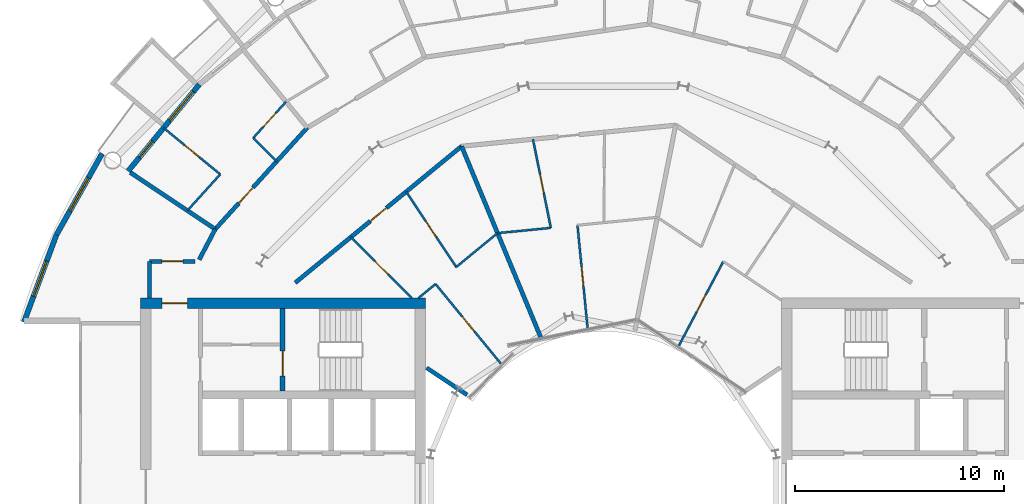
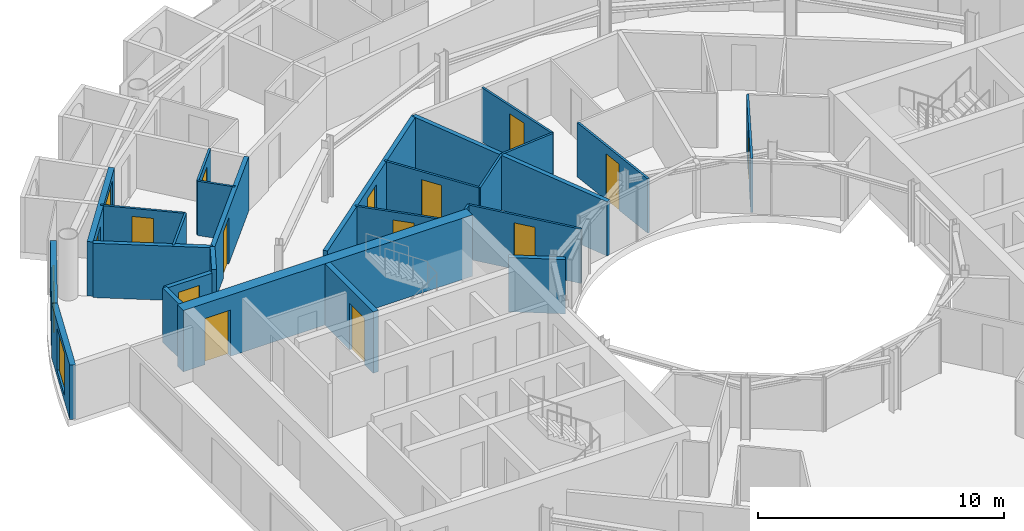
# One storey, part 19 of 27: 26 walls, 14 doors, 3 windows, 17 openings.
"""IFC4 building model written with IfcOpenShell, lengths in metres."""

from ifc_helpers import new_model, si_unit, direction, frame, frame_2d, origin, place, context, subcontext, project, spatial, rectangle, extrude, material, layer, layer_set, type_object, element, fill, save


model = new_model("IFC4")

# Units and contexts
model_context = context("Model", 3, precision=1e-05, world=origin(), true_north=direction((0.0, 1.0)))
body_context = subcontext(model_context, "Body", "Model", "MODEL_VIEW")
ifc_project = project(units=[si_unit("LENGTHUNIT", "METRE"), si_unit("AREAUNIT", "SQUARE_METRE"), si_unit("VOLUMEUNIT", "CUBIC_METRE"), si_unit("PLANEANGLEUNIT", "RADIAN"), si_unit("MASSUNIT", "GRAM", prefix="KILO")], contexts=[model_context])

# Site, building, storey
site_placement = place(None, origin())
site = spatial("IfcSite", under=ifc_project, at=site_placement, CompositionType="ELEMENT")
building_placement = place(site_placement, origin())
building = spatial("IfcBuilding", under=site, at=building_placement, Name="Maasbend Ring Residences", CompositionType="ELEMENT")
storey_placement = place(building_placement, frame((0.0, 0.0, 145.199951171875)))
storey = spatial("IfcBuildingStorey", under=building, at=storey_placement, Name="L41", CompositionType="ELEMENT", Elevation=145.199951171875)

# Wall, opening, door
ifc_material_1 = material(Name="Concrete C60/75", Category="concrete")
ifc_layer_1 = layer(ifc_material_1, 0.25)
ifc_layer_set_1 = layer_set([ifc_layer_1], Name="Concrete C60/75")
wall_type_1 = type_object("IfcWallType", Name="CORE WALL 250 C60/75", PredefinedType="SHEAR", material=ifc_layer_set_1)
wall_1_placement = place(storey_placement, frame((-15.324951171875, 8.60009765625, 0.0), z_axis=(0.0, 0.0, 1.0), x_axis=(0.0, -1.0, 0.0)))
wall_1 = element("IfcWall", 1, at=wall_1_placement, inside=storey, type_object=wall_type_1, Name="L41 core W wall STES", PredefinedType="SHEAR", context=body_context, shape_type="SweptSolid", body=[
    extrude(rectangle(XDim=3.9501953125, YDim=0.25, at=frame_2d((1.97509765625, 0.0))), origin(), (0.0, 0.0, 1.0), 3.050048828125),
])
opening_1_placement = place(wall_1_placement, frame((2.02490234375, 0.0, 0.0)))
opening_1 = element("IfcOpeningElement", 2, at=opening_1_placement, cuts=wall_1, Name="Opening D-W4112", PredefinedType="OPENING", context=body_context, shape_type="SweptSolid", body=[
    extrude(rectangle(XDim=1.199951171875, YDim=2.300048828125, at=frame_2d((0.60009765625, 1.14990234375))), frame((0.0, 0.135009765625, 0.0), z_axis=(0.0, -1.0, 0.0), x_axis=(1.0, 0.0, 0.0)), (0.0, 0.0, 1.0), 0.27001953125),
])
ifc_material_2 = material(Name="Steel, powder coated", Category="steel")
door_type_1 = type_object("IfcDoorType", Name="STAIR DOOR 1200 X 2300 FD60", OperationType="NOTDEFINED", PredefinedType="DOOR", material=ifc_material_2)
door_1_placement = place(opening_1_placement, origin())
door_1 = element("IfcDoor", 3, at=door_1_placement, inside=storey, type_object=door_type_1, Name="Stair door ST-W L41", OperationType="SINGLE_SWING_LEFT", OverallHeight=2.300048828125, OverallWidth=1.199951171875, PredefinedType="DOOR", context=body_context, shape_type="SweptSolid", body=[
    extrude(rectangle(XDim=1.199951171875, YDim=2.300048828125, at=frame_2d((0.60009765625, 1.14990234375))), frame((0.0, 0.02490234375, 0.0), z_axis=(0.0, -1.0, 0.0), x_axis=(1.0, 0.0, 0.0)), (0.0, 0.0, 1.0), 0.050048828125),
])
fill(opening_1, door_1)

ifc_material_3 = material(Name="Concrete C60/75", Category="concrete")
ifc_layer_2 = layer(ifc_material_3, 0.5)
ifc_layer_set_2 = layer_set([ifc_layer_2], Name="Concrete C60/75")
wall_type_2 = type_object("IfcWallType", Name="CORE WALL 500 C60/75", PredefinedType="SHEAR", material=ifc_layer_set_2)
wall_2_placement = place(storey_placement, frame((-8.5, 8.85009765625, 0.0), z_axis=(0.0, 0.0, 1.0), x_axis=(-1.0, 0.0, 0.0)))
wall_2 = element("IfcWall", 4, at=wall_2_placement, inside=storey, type_object=wall_type_2, Name="L41 core W wall PS", PredefinedType="SHEAR", context=body_context, shape_type="SweptSolid", body=[
    extrude(rectangle(XDim=13.60009765625, YDim=0.5, at=frame_2d((6.800048828125, 0.0))), origin(), (0.0, 0.0, 1.0), 3.050048828125),
])
opening_2_placement = place(wall_2_placement, frame((11.375, 0.0, 0.0)))
opening_2 = element("IfcOpeningElement", 5, at=opening_2_placement, cuts=wall_2, Name="Opening D-W4116", PredefinedType="OPENING", context=body_context, shape_type="SweptSolid", body=[
    extrude(rectangle(XDim=1.199951171875, YDim=2.300048828125, at=frame_2d((0.60009765625, 1.14990234375))), frame((0.0, 0.260009765625, 0.0), z_axis=(0.0, -1.0, 0.0), x_axis=(1.0, 0.0, 0.0)), (0.0, 0.0, 1.0), 0.52001953125),
])
ifc_material_4 = material(Name="Steel, powder coated", Category="steel")
door_type_2 = type_object("IfcDoorType", Name="CORRIDOR DOOR 1200 X 2300 FD30S", OperationType="NOTDEFINED", PredefinedType="DOOR", material=ifc_material_4)
door_2_placement = place(opening_2_placement, origin())
door_2 = element("IfcDoor", 6, at=door_2_placement, inside=storey, type_object=door_type_2, Name="Corridor door L41", OperationType="SINGLE_SWING_LEFT", OverallHeight=2.300048828125, OverallWidth=1.199951171875, PredefinedType="DOOR", context=body_context, shape_type="SweptSolid", body=[
    extrude(rectangle(XDim=1.199951171875, YDim=2.300048828125, at=frame_2d((0.60009765625, 1.14990234375))), frame((0.0, 0.02490234375, 0.0), z_axis=(0.0, -1.0, 0.0), x_axis=(1.0, 0.0, 0.0)), (0.0, 0.0, 1.0), 0.050048828125),
])
fill(opening_2, door_2)

ifc_material_5 = material(Name="Concrete C30/37", Category="concrete")
ifc_layer_3 = layer(ifc_material_5, 0.199951171875)
ifc_layer_set_3 = layer_set([ifc_layer_3], Name="Concrete C30/37")
wall_type_3 = type_object("IfcWallType", Name="CORRIDOR WALL 200 CONCRETE", PredefinedType="PARTITIONING", material=ifc_layer_set_3)
wall_3_placement = place(storey_placement, frame((-21.675048828125, 10.85009765625, 0.0), z_axis=(0.0, 0.0, 1.0), x_axis=(1.0, 0.0, 0.0)))
wall_3 = element("IfcWall", 7, at=wall_3_placement, inside=storey, type_object=wall_type_3, Name="U-L41-w086", PredefinedType="PARTITIONING", context=body_context, shape_type="SweptSolid", body=[
    extrude(rectangle(XDim=2.171142578125, YDim=0.199951171875, at=frame_2d((1.08544921875, 0.0))), origin(), (0.0, 0.0, 1.0), 2.699951171875),
])
opening_3_placement = place(wall_3_placement, frame((0.5849609375, 0.0, 0.0)))
opening_3 = element("IfcOpeningElement", 8, at=opening_3_placement, cuts=wall_3, Name="Opening D-4160", PredefinedType="OPENING", context=body_context, shape_type="SweptSolid", body=[
    extrude(rectangle(XDim=1.0, YDim=2.300048828125, at=frame_2d((0.5, 1.14990234375))), frame((0.0, 0.10986328125, 0.0), z_axis=(0.0, -1.0, 0.0), x_axis=(1.0, 0.0, 0.0)), (0.0, 0.0, 1.0), 0.219970703125),
])
ifc_material_6 = material(Name="Timber, painted", Category="wood")
door_type_3 = type_object("IfcDoorType", Name="ROOM DOOR 1000 X 2300", OperationType="NOTDEFINED", PredefinedType="DOOR", material=ifc_material_6)
door_3_placement = place(opening_3_placement, origin())
door_3 = element("IfcDoor", 9, at=door_3_placement, inside=storey, type_object=door_type_3, Name="D-4160", OperationType="SINGLE_SWING_LEFT", OverallHeight=2.300048828125, OverallWidth=1.0, PredefinedType="DOOR", context=body_context, shape_type="SweptSolid", body=[
    extrude(rectangle(XDim=1.0, YDim=2.300048828125, at=frame_2d((0.5, 1.14990234375))), frame((0.0, 0.02490234375, 0.0), z_axis=(0.0, -1.0, 0.0), x_axis=(1.0, 0.0, 0.0)), (0.0, 0.0, 1.0), 0.050048828125),
])
fill(opening_3, door_3)

wall_4_placement = place(storey_placement, frame((-14.717041015625, 9.833984375, 0.0), z_axis=(0.0, 0.0, 1.0), x_axis=(0.773034536097, 0.634363938131, 0.0)))
wall_4 = element("IfcWall", 10, at=wall_4_placement, inside=storey, type_object=wall_type_3, Name="U-L41-w095", PredefinedType="PARTITIONING", context=body_context, shape_type="SweptSolid", body=[
    extrude(rectangle(XDim=10.276611328125, YDim=0.199951171875, at=frame_2d((5.13818359375, 0.0))), origin(), (0.0, 0.0, 1.0), 2.699951171875),
])
opening_4_placement = place(wall_4_placement, frame((4.637939453125, 0.0, 0.0)))
opening_4 = element("IfcOpeningElement", 11, at=opening_4_placement, cuts=wall_4, Name="Opening D-4129", PredefinedType="OPENING", context=body_context, shape_type="SweptSolid", body=[
    extrude(rectangle(XDim=1.0, YDim=2.300048828125, at=frame_2d((0.5, 1.14990234375))), frame((0.0, 0.10986328125, 0.0), z_axis=(0.0, -1.0, 0.0), x_axis=(1.0, 0.0, 0.0)), (0.0, 0.0, 1.0), 0.219970703125),
])
ifc_material_7 = material(Name="Timber, fire-rated, painted", Category="wood")
door_type_4 = type_object("IfcDoorType", Name="FLAT ENTRANCE DOOR 1000 X 2300 FIRE-RATED", OperationType="NOTDEFINED", PredefinedType="DOOR", material=ifc_material_7)
door_4_placement = place(opening_4_placement, origin())
door_4 = element("IfcDoor", 12, at=door_4_placement, inside=storey, type_object=door_type_4, Name="D-4129", OperationType="SINGLE_SWING_LEFT", OverallHeight=2.300048828125, OverallWidth=1.0, PredefinedType="DOOR", context=body_context, shape_type="SweptSolid", body=[
    extrude(rectangle(XDim=1.0, YDim=2.300048828125, at=frame_2d((0.5, 1.14990234375))), frame((0.0, 0.02490234375, 0.0), z_axis=(0.0, -1.0, 0.0), x_axis=(1.0, 0.0, 0.0)), (0.0, 0.0, 1.0), 0.050048828125),
])
fill(opening_4, door_4)

# Wall
wall_5_placement = place(storey_placement, frame((-21.675048828125, 9.10009765625, 0.0), z_axis=(0.0, 0.0, 1.0), x_axis=(0.0, 1.0, 0.0)))
element("IfcWall", 13, at=wall_5_placement, inside=storey, type_object=wall_type_3, Name="U-L41-w099", PredefinedType="PARTITIONING", context=body_context, shape_type="SweptSolid", body=[
    extrude(rectangle(XDim=1.75, YDim=0.199951171875, at=frame_2d((0.875, 0.0))), origin(), (0.0, 0.0, 1.0), 2.699951171875),
])

# Wall, opening, door
wall_6_placement = place(storey_placement, frame((-18.5419921875, 12.388916015625, 0.0), z_axis=(0.0, 0.0, 1.0), x_axis=(0.671561669125, 0.740948665268, 0.0)))
wall_6 = element("IfcWall", 14, at=wall_6_placement, inside=storey, type_object=wall_type_3, Name="U-L41-w100", PredefinedType="PARTITIONING", context=body_context, shape_type="SweptSolid", body=[
    extrude(rectangle(XDim=6.54443359375, YDim=0.199951171875, at=frame_2d((3.272216796875, 0.0))), origin(), (0.0, 0.0, 1.0), 2.699951171875),
])
opening_5_placement = place(wall_6_placement, frame((1.681884765625, 0.0, 0.0)))
opening_5 = element("IfcOpeningElement", 15, at=opening_5_placement, cuts=wall_6, Name="Opening D-4118", PredefinedType="OPENING", context=body_context, shape_type="SweptSolid", body=[
    extrude(rectangle(XDim=1.0, YDim=2.300048828125, at=frame_2d((0.5, 1.14990234375))), frame((0.0, 0.10986328125, 0.0), z_axis=(0.0, -1.0, 0.0), x_axis=(1.0, 0.0, 0.0)), (0.0, 0.0, 1.0), 0.219970703125),
])
door_5_placement = place(opening_5_placement, origin())
door_5 = element("IfcDoor", 16, at=door_5_placement, inside=storey, type_object=door_type_4, Name="D-4118", OperationType="SINGLE_SWING_LEFT", OverallHeight=2.300048828125, OverallWidth=1.0, PredefinedType="DOOR", context=body_context, shape_type="SweptSolid", body=[
    extrude(rectangle(XDim=1.0, YDim=2.300048828125, at=frame_2d((0.5, 1.14990234375))), frame((0.0, 0.02490234375, 0.0), z_axis=(0.0, -1.0, 0.0), x_axis=(1.0, 0.0, 0.0)), (0.0, 0.0, 1.0), 0.050048828125),
])
fill(opening_5, door_5)

# Wall
wall_7_placement = place(storey_placement, frame((-19.306884765625, 10.93505859375, 0.0), z_axis=(0.0, 0.0, 1.0), x_axis=(0.465605550524, 0.884992356646, 0.0)))
element("IfcWall", 17, at=wall_7_placement, inside=storey, type_object=wall_type_3, Name="U-L41-w105", PredefinedType="PARTITIONING", context=body_context, shape_type="SweptSolid", body=[
    extrude(rectangle(XDim=1.642822265625, YDim=0.199951171875, at=frame_2d((0.8212890625, 0.0))), origin(), (0.0, 0.0, 1.0), 2.699951171875),
])

# Wall, openings, door, window
ifc_material_8 = material(Name="Aluminium clad insulated panel", Category="aluminium")
ifc_layer_4 = layer(ifc_material_8, 0.25)
ifc_layer_set_4 = layer_set([ifc_layer_4], Name="EW-GL")
wall_type_4 = type_object("IfcWallType", Name="EW-GL", PredefinedType="SOLIDWALL", material=ifc_layer_set_4)
wall_8_placement = place(storey_placement, frame((-19.303955078125, 19.303955078125, 0.0), z_axis=(0.0, 0.0, 1.0), x_axis=(-0.634382322723, -0.773019449054, 0.0)))
wall_8 = element("IfcWall", 18, at=wall_8_placement, inside=storey, type_object=wall_type_4, Name="External wall N10", PredefinedType="SOLIDWALL", context=body_context, shape_type="SweptSolid", body=[
    extrude(rectangle(XDim=5.351806640625, YDim=0.25, at=frame_2d((2.67578125, 0.0))), origin(), (0.0, 0.0, 1.0), 2.699951171875),
])
opening_6_placement = place(wall_8_placement, frame((0.441162109375, 0.0, 0.300048828125)))
opening_6 = element("IfcOpeningElement", 19, at=opening_6_placement, cuts=wall_8, Name="Opening W-BX", PredefinedType="OPENING", context=body_context, shape_type="SweptSolid", body=[
    extrude(rectangle(XDim=1.800048828125, YDim=2.10009765625, at=frame_2d((0.89990234375, 1.050048828125))), frame((0.0, 0.135009765625, 0.0), z_axis=(0.0, -1.0, 0.0), x_axis=(1.0, 0.0, 0.0)), (0.0, 0.0, 1.0), 0.27001953125),
])
opening_7_placement = place(wall_8_placement, frame((3.510498046875, 0.0, 0.0)))
opening_7 = element("IfcOpeningElement", 20, at=opening_7_placement, cuts=wall_8, Name="Opening D-LG", PredefinedType="OPENING", context=body_context, shape_type="SweptSolid", body=[
    extrude(rectangle(XDim=1.0, YDim=2.199951171875, at=frame_2d((0.5, 1.10009765625))), frame((0.0, 0.135009765625, 0.0), z_axis=(0.0, -1.0, 0.0), x_axis=(1.0, 0.0, 0.0)), (0.0, 0.0, 1.0), 0.27001953125),
])
ifc_material_9 = material(Name="Aluminium and clear glass", Category="aluminium")
door_type_5 = type_object("IfcDoorType", Name="D-LG", OperationType="SINGLE_SWING_LEFT", PredefinedType="DOOR", material=ifc_material_9)
door_6_placement = place(opening_7_placement, origin())
door_6 = element("IfcDoor", 21, at=door_6_placement, inside=storey, type_object=door_type_5, Name="Loggia door N20", OperationType="SINGLE_SWING_LEFT", OverallHeight=2.199951171875, OverallWidth=1.0, PredefinedType="DOOR", context=body_context, shape_type="SweptSolid", body=[
    extrude(rectangle(XDim=1.0, YDim=2.199951171875, at=frame_2d((0.5, 1.10009765625))), frame((0.0, 0.02490234375, 0.0), z_axis=(0.0, -1.0, 0.0), x_axis=(1.0, 0.0, 0.0)), (0.0, 0.0, 1.0), 0.050048828125),
])
fill(opening_7, door_6)
ifc_material_10 = material(Name="Aluminium and clear glass", Category="aluminium")
window_type = type_object("IfcWindowType", Name="W-BX", PartitioningType="DOUBLE_PANEL_VERTICAL", PredefinedType="WINDOW", material=ifc_material_10)
window_1_placement = place(opening_6_placement, origin())
window_1 = element("IfcWindow", 22, at=window_1_placement, inside=storey, type_object=window_type, Name="Window N19 room to box", OverallHeight=2.10009765625, OverallWidth=1.800048828125, PartitioningType="SINGLE_PANEL", PredefinedType="WINDOW", context=body_context, shape_type="SweptSolid", body=[
    extrude(rectangle(XDim=1.800048828125, YDim=2.10009765625, at=frame_2d((0.89990234375, 1.050048828125))), frame((0.0, 0.030029296875, 0.0), z_axis=(0.0, -1.0, 0.0), x_axis=(1.0, 0.0, 0.0)), (0.0, 0.0, 1.0), 0.06005859375),
])
fill(opening_6, window_1)

# Wall, opening, window
ifc_material_11 = material(Name="Aluminium clad insulated panel", Category="aluminium")
ifc_layer_5 = layer(ifc_material_11, 0.25)
ifc_layer_set_5 = layer_set([ifc_layer_5], Name="EW-HORN")
wall_type_5 = type_object("IfcWallType", Name="EW-HORN", PredefinedType="SOLIDWALL", material=ifc_layer_set_5)
wall_9_placement = place(storey_placement, frame((-23.946044921875, 16.0, 0.0), z_axis=(0.0, 0.0, 1.0), x_axis=(-0.489696356642, -0.871893042919, 0.0)))
wall_9 = element("IfcWall", 23, at=wall_9_placement, inside=storey, type_object=wall_type_5, Name="Horn wall 4.1", PredefinedType="SOLIDWALL", context=body_context, shape_type="SweptSolid", body=[
    extrude(rectangle(XDim=4.45361328125, YDim=0.25, at=frame_2d((2.226806640625, 0.0))), origin(), (0.0, 0.0, 1.0), 2.699951171875),
])
opening_8_placement = place(wall_9_placement, frame((1.32666015625, 0.0, 0.300048828125)))
opening_8 = element("IfcOpeningElement", 24, at=opening_8_placement, cuts=wall_9, Name="Opening W-BX", PredefinedType="OPENING", context=body_context, shape_type="SweptSolid", body=[
    extrude(rectangle(XDim=1.800048828125, YDim=2.10009765625, at=frame_2d((0.89990234375, 1.050048828125))), frame((0.0, 0.135009765625, 0.0), z_axis=(0.0, -1.0, 0.0), x_axis=(1.0, 0.0, 0.0)), (0.0, 0.0, 1.0), 0.27001953125),
])
window_2_placement = place(opening_8_placement, origin())
window_2 = element("IfcWindow", 25, at=window_2_placement, inside=storey, type_object=window_type, Name="Horn window 4.1", OverallHeight=2.10009765625, OverallWidth=1.800048828125, PartitioningType="SINGLE_PANEL", PredefinedType="WINDOW", context=body_context, shape_type="SweptSolid", body=[
    extrude(rectangle(XDim=1.800048828125, YDim=2.10009765625, at=frame_2d((0.89990234375, 1.050048828125))), frame((0.0, 0.030029296875, 0.0), z_axis=(0.0, -1.0, 0.0), x_axis=(1.0, 0.0, 0.0)), (0.0, 0.0, 1.0), 0.06005859375),
])
fill(opening_8, window_2)

wall_10_placement = place(storey_placement, frame((-26.126953125, 12.116943359375, 0.0), z_axis=(0.0, 0.0, 1.0), x_axis=(-0.349247811493, -0.937030397675, 0.0)))
wall_10 = element("IfcWall", 26, at=wall_10_placement, inside=storey, type_object=wall_type_5, Name="Horn wall 4.2", PredefinedType="SOLIDWALL", context=body_context, shape_type="SweptSolid", body=[
    extrude(rectangle(XDim=4.4521484375, YDim=0.25, at=frame_2d((2.22607421875, 0.0))), origin(), (0.0, 0.0, 1.0), 2.699951171875),
])
opening_9_placement = place(wall_10_placement, frame((1.32666015625, 0.0, 0.300048828125)))
opening_9 = element("IfcOpeningElement", 27, at=opening_9_placement, cuts=wall_10, Name="Opening W-BX", PredefinedType="OPENING", context=body_context, shape_type="SweptSolid", body=[
    extrude(rectangle(XDim=1.800048828125, YDim=2.10009765625, at=frame_2d((0.89990234375, 1.050048828125))), frame((0.0, 0.135009765625, 0.0), z_axis=(0.0, -1.0, 0.0), x_axis=(1.0, 0.0, 0.0)), (0.0, 0.0, 1.0), 0.27001953125),
])
window_3_placement = place(opening_9_placement, origin())
window_3 = element("IfcWindow", 28, at=window_3_placement, inside=storey, type_object=window_type, Name="Horn window 4.2", OverallHeight=2.10009765625, OverallWidth=1.800048828125, PartitioningType="SINGLE_PANEL", PredefinedType="WINDOW", context=body_context, shape_type="SweptSolid", body=[
    extrude(rectangle(XDim=1.800048828125, YDim=2.10009765625, at=frame_2d((0.89990234375, 1.050048828125))), frame((0.0, 0.030029296875, 0.0), z_axis=(0.0, -1.0, 0.0), x_axis=(1.0, 0.0, 0.0)), (0.0, 0.0, 1.0), 0.06005859375),
])
fill(opening_9, window_3)

# Wall, opening, door
ifc_material_12 = material(Name="Gypsum board on steel studs", Category="steel")
ifc_layer_6 = layer(ifc_material_12, 0.10009765625)
ifc_layer_set_6 = layer_set([ifc_layer_6], Name="PARTITION 100 GYPSUM")
wall_type_6 = type_object("IfcWallType", Name="PARTITION 100 GYPSUM", PredefinedType="PARTITIONING", material=ifc_layer_set_6)
wall_11_placement = place(storey_placement, frame((-21.011962890625, 17.23291015625, 0.0), z_axis=(0.0, 0.0, 1.0), x_axis=(0.773165322764, -0.634204528267, 0.0)))
wall_11 = element("IfcWall", 29, at=wall_11_placement, inside=storey, type_object=wall_type_6, Name="U-L41-w033", PredefinedType="PARTITIONING", context=body_context, shape_type="SweptSolid", body=[
    extrude(rectangle(XDim=3.505126953125, YDim=0.10009765625, at=frame_2d((1.75244140625, 0.0))), origin(), (0.0, 0.0, 1.0), 2.699951171875),
])
opening_10_placement = place(wall_11_placement, frame((1.302978515625, 0.0, 0.0)))
opening_10 = element("IfcOpeningElement", 30, at=opening_10_placement, cuts=wall_11, Name="Opening D-4120", PredefinedType="OPENING", context=body_context, shape_type="SweptSolid", body=[
    extrude(rectangle(XDim=0.89990234375, YDim=2.300048828125, at=frame_2d((0.449951171875, 1.14990234375))), frame((0.0, 0.06005859375, 0.0), z_axis=(0.0, -1.0, 0.0), x_axis=(1.0, 0.0, 0.0)), (0.0, 0.0, 1.0), 0.1201171875),
])
ifc_material_13 = material(Name="Timber, painted", Category="wood")
door_type_6 = type_object("IfcDoorType", Name="INTERNAL DOOR 900 X 2300", OperationType="NOTDEFINED", PredefinedType="DOOR", material=ifc_material_13)
door_7_placement = place(opening_10_placement, origin())
door_7 = element("IfcDoor", 31, at=door_7_placement, inside=storey, type_object=door_type_6, Name="D-4120", OperationType="SINGLE_SWING_LEFT", OverallHeight=2.300048828125, OverallWidth=0.89990234375, PredefinedType="DOOR", context=body_context, shape_type="SweptSolid", body=[
    extrude(rectangle(XDim=0.89990234375, YDim=2.300048828125, at=frame_2d((0.449951171875, 1.14990234375))), frame((0.0, 0.02490234375, 0.0), z_axis=(0.0, -1.0, 0.0), x_axis=(1.0, 0.0, 0.0)), (0.0, 0.0, 1.0), 0.050048828125),
])
fill(opening_10, door_7)

# Wall
wall_12_placement = place(storey_placement, frame((-16.73193359375, 16.742919921875, 0.0), z_axis=(0.0, 0.0, 1.0), x_axis=(0.70679853939, -0.707414888673, 0.0)))
element("IfcWall", 32, at=wall_12_placement, inside=storey, type_object=wall_type_6, Name="U-L41-w038", PredefinedType="PARTITIONING", context=body_context, shape_type="SweptSolid", body=[
    extrude(rectangle(XDim=1.58447265625, YDim=0.10009765625, at=frame_2d((0.792236328125, 0.0))), origin(), (0.0, 0.0, 1.0), 2.699951171875),
])

# Wall, opening, door
wall_13_placement = place(storey_placement, frame((-12.069091796875, 12.007080078125, 0.0), z_axis=(0.0, 0.0, 1.0), x_axis=(0.708822693149, -0.705386695138, 0.0)))
wall_13 = element("IfcWall", 33, at=wall_13_placement, inside=storey, type_object=wall_type_6, Name="U-L41-w043", PredefinedType="PARTITIONING", context=body_context, shape_type="SweptSolid", body=[
    extrude(rectangle(XDim=4.12109375, YDim=0.10009765625, at=frame_2d((2.060546875, 0.0))), origin(), (0.0, 0.0, 1.0), 2.699951171875),
])
opening_11_placement = place(wall_13_placement, frame((1.611083984375, 0.0, 0.0)))
opening_11 = element("IfcOpeningElement", 34, at=opening_11_placement, cuts=wall_13, Name="Opening D-4131", PredefinedType="OPENING", context=body_context, shape_type="SweptSolid", body=[
    extrude(rectangle(XDim=0.89990234375, YDim=2.300048828125, at=frame_2d((0.449951171875, 1.14990234375))), frame((0.0, 0.06005859375, 0.0), z_axis=(0.0, -1.0, 0.0), x_axis=(1.0, 0.0, 0.0)), (0.0, 0.0, 1.0), 0.1201171875),
])
door_8_placement = place(opening_11_placement, origin())
door_8 = element("IfcDoor", 35, at=door_8_placement, inside=storey, type_object=door_type_6, Name="D-4131", OperationType="SINGLE_SWING_RIGHT", OverallHeight=2.300048828125, OverallWidth=0.89990234375, PredefinedType="DOOR", context=body_context, shape_type="SweptSolid", body=[
    extrude(rectangle(XDim=0.89990234375, YDim=2.300048828125, at=frame_2d((0.449951171875, 1.14990234375))), frame((0.0, 0.02490234375, 0.0), z_axis=(0.0, -1.0, 0.0), x_axis=(1.0, 0.0, 0.0)), (0.0, 0.0, 1.0), 0.050048828125),
])
fill(opening_11, door_8)

wall_14_placement = place(storey_placement, frame((-9.4208984375, 14.179931640625, 0.0), z_axis=(0.0, 0.0, 1.0), x_axis=(0.553303732327, -0.832979579457, 0.0)))
wall_14 = element("IfcWall", 36, at=wall_14_placement, inside=storey, type_object=wall_type_6, Name="U-L41-w047", PredefinedType="PARTITIONING", context=body_context, shape_type="SweptSolid", body=[
    extrude(rectangle(XDim=4.3193359375, YDim=0.10009765625, at=frame_2d((2.15966796875, 0.0))), origin(), (0.0, 0.0, 1.0), 2.699951171875),
])
opening_12_placement = place(wall_14_placement, frame((1.7099609375, 0.0, 0.0)))
opening_12 = element("IfcOpeningElement", 37, at=opening_12_placement, cuts=wall_14, Name="Opening D-4130", PredefinedType="OPENING", context=body_context, shape_type="SweptSolid", body=[
    extrude(rectangle(XDim=0.89990234375, YDim=2.300048828125, at=frame_2d((0.449951171875, 1.14990234375))), frame((0.0, 0.06005859375, 0.0), z_axis=(0.0, -1.0, 0.0), x_axis=(1.0, 0.0, 0.0)), (0.0, 0.0, 1.0), 0.1201171875),
])
door_9_placement = place(opening_12_placement, origin())
door_9 = element("IfcDoor", 38, at=door_9_placement, inside=storey, type_object=door_type_6, Name="D-4130", OperationType="SINGLE_SWING_RIGHT", OverallHeight=2.300048828125, OverallWidth=0.89990234375, PredefinedType="DOOR", context=body_context, shape_type="SweptSolid", body=[
    extrude(rectangle(XDim=0.89990234375, YDim=2.300048828125, at=frame_2d((0.449951171875, 1.14990234375))), frame((0.0, 0.02490234375, 0.0), z_axis=(0.0, -1.0, 0.0), x_axis=(1.0, 0.0, 0.0)), (0.0, 0.0, 1.0), 0.050048828125),
])
fill(opening_12, door_9)

wall_15_placement = place(storey_placement, frame((-8.01904296875, 9.77099609375, 0.0), z_axis=(0.0, 0.0, 1.0), x_axis=(0.634401778971, -0.773003481776, 0.0)))
wall_15 = element("IfcWall", 39, at=wall_15_placement, inside=storey, type_object=wall_type_6, Name="U-L41-w049", PredefinedType="PARTITIONING", context=body_context, shape_type="SweptSolid", body=[
    extrude(rectangle(XDim=4.919677734375, YDim=0.10009765625, at=frame_2d((2.4599609375, 0.0))), origin(), (0.0, 0.0, 1.0), 2.699951171875),
])
opening_13_placement = place(wall_15_placement, frame((2.010009765625, 0.0, 0.0)))
opening_13 = element("IfcOpeningElement", 40, at=opening_13_placement, cuts=wall_15, Name="Opening D-4132", PredefinedType="OPENING", context=body_context, shape_type="SweptSolid", body=[
    extrude(rectangle(XDim=0.89990234375, YDim=2.300048828125, at=frame_2d((0.449951171875, 1.14990234375))), frame((0.0, 0.06005859375, 0.0), z_axis=(0.0, -1.0, 0.0), x_axis=(1.0, 0.0, 0.0)), (0.0, 0.0, 1.0), 0.1201171875),
])
door_10_placement = place(opening_13_placement, origin())
door_10 = element("IfcDoor", 41, at=door_10_placement, inside=storey, type_object=door_type_6, Name="D-4132", OperationType="SINGLE_SWING_RIGHT", OverallHeight=2.300048828125, OverallWidth=0.89990234375, PredefinedType="DOOR", context=body_context, shape_type="SweptSolid", body=[
    extrude(rectangle(XDim=0.89990234375, YDim=2.300048828125, at=frame_2d((0.449951171875, 1.14990234375))), frame((0.0, 0.02490234375, 0.0), z_axis=(0.0, -1.0, 0.0), x_axis=(1.0, 0.0, 0.0)), (0.0, 0.0, 1.0), 0.050048828125),
])
fill(opening_13, door_10)

wall_16_placement = place(storey_placement, frame((-3.364990234375, 16.68798828125, 0.0), z_axis=(0.0, 0.0, 1.0), x_axis=(0.197724661373, -0.980257597923, 0.0)))
wall_16 = element("IfcWall", 42, at=wall_16_placement, inside=storey, type_object=wall_type_6, Name="U-L41-w054", PredefinedType="PARTITIONING", context=body_context, shape_type="SweptSolid", body=[
    extrude(rectangle(XDim=4.319091796875, YDim=0.10009765625, at=frame_2d((2.15966796875, 0.0))), origin(), (0.0, 0.0, 1.0), 2.699951171875),
])
opening_14_placement = place(wall_16_placement, frame((1.7099609375, 0.0, 0.0)))
opening_14 = element("IfcOpeningElement", 43, at=opening_14_placement, cuts=wall_16, Name="Opening D-4126", PredefinedType="OPENING", context=body_context, shape_type="SweptSolid", body=[
    extrude(rectangle(XDim=0.89990234375, YDim=2.300048828125, at=frame_2d((0.449951171875, 1.14990234375))), frame((0.0, 0.06005859375, 0.0), z_axis=(0.0, -1.0, 0.0), x_axis=(1.0, 0.0, 0.0)), (0.0, 0.0, 1.0), 0.1201171875),
])
door_11_placement = place(opening_14_placement, origin())
door_11 = element("IfcDoor", 44, at=door_11_placement, inside=storey, type_object=door_type_6, Name="D-4126", OperationType="SINGLE_SWING_RIGHT", OverallHeight=2.300048828125, OverallWidth=0.89990234375, PredefinedType="DOOR", context=body_context, shape_type="SweptSolid", body=[
    extrude(rectangle(XDim=0.89990234375, YDim=2.300048828125, at=frame_2d((0.449951171875, 1.14990234375))), frame((0.0, 0.02490234375, 0.0), z_axis=(0.0, -1.0, 0.0), x_axis=(1.0, 0.0, 0.0)), (0.0, 0.0, 1.0), 0.050048828125),
])
fill(opening_14, door_11)

wall_17_placement = place(storey_placement, frame((-1.239013671875, 12.5791015625, 0.0), z_axis=(0.0, 0.0, 1.0), x_axis=(0.097960786067, -0.995190275472, 0.0)))
wall_17 = element("IfcWall", 45, at=wall_17_placement, inside=storey, type_object=wall_type_6, Name="U-L41-w056", PredefinedType="PARTITIONING", context=body_context, shape_type="SweptSolid", body=[
    extrude(rectangle(XDim=4.919677734375, YDim=0.10009765625, at=frame_2d((2.4599609375, 0.0))), origin(), (0.0, 0.0, 1.0), 2.699951171875),
])
opening_15_placement = place(wall_17_placement, frame((2.010009765625, 0.0, 0.0)))
opening_15 = element("IfcOpeningElement", 46, at=opening_15_placement, cuts=wall_17, Name="Opening D-4128", PredefinedType="OPENING", context=body_context, shape_type="SweptSolid", body=[
    extrude(rectangle(XDim=0.89990234375, YDim=2.300048828125, at=frame_2d((0.449951171875, 1.14990234375))), frame((0.0, 0.06005859375, 0.0), z_axis=(0.0, -1.0, 0.0), x_axis=(1.0, 0.0, 0.0)), (0.0, 0.0, 1.0), 0.1201171875),
])
door_12_placement = place(opening_15_placement, origin())
door_12 = element("IfcDoor", 47, at=door_12_placement, inside=storey, type_object=door_type_6, Name="D-4128", OperationType="SINGLE_SWING_LEFT", OverallHeight=2.300048828125, OverallWidth=0.89990234375, PredefinedType="DOOR", context=body_context, shape_type="SweptSolid", body=[
    extrude(rectangle(XDim=0.89990234375, YDim=2.300048828125, at=frame_2d((0.449951171875, 1.14990234375))), frame((0.0, 0.02490234375, 0.0), z_axis=(0.0, -1.0, 0.0), x_axis=(1.0, 0.0, 0.0)), (0.0, 0.0, 1.0), 0.050048828125),
])
fill(opening_15, door_12)

wall_18_placement = place(storey_placement, frame((3.60498046875, 6.826904296875, 0.0), z_axis=(0.0, 0.0, 1.0), x_axis=(0.466962677975, 0.884277025246, 0.0)))
wall_18 = element("IfcWall", 48, at=wall_18_placement, inside=storey, type_object=wall_type_6, Name="U-L41-w062", PredefinedType="PARTITIONING", context=body_context, shape_type="SweptSolid", body=[
    extrude(rectangle(XDim=4.548583984375, YDim=0.10009765625, at=frame_2d((2.2744140625, 0.0))), origin(), (0.0, 0.0, 1.0), 2.699951171875),
])
opening_16_placement = place(wall_18_placement, frame((1.823974609375, 0.0, 0.0)))
opening_16 = element("IfcOpeningElement", 49, at=opening_16_placement, cuts=wall_18, Name="Opening D-4124", PredefinedType="OPENING", context=body_context, shape_type="SweptSolid", body=[
    extrude(rectangle(XDim=0.89990234375, YDim=2.300048828125, at=frame_2d((0.449951171875, 1.14990234375))), frame((0.0, 0.06005859375, 0.0), z_axis=(0.0, -1.0, 0.0), x_axis=(1.0, 0.0, 0.0)), (0.0, 0.0, 1.0), 0.1201171875),
])
door_13_placement = place(opening_16_placement, origin())
door_13 = element("IfcDoor", 50, at=door_13_placement, inside=storey, type_object=door_type_6, Name="D-4124", OperationType="SINGLE_SWING_LEFT", OverallHeight=2.300048828125, OverallWidth=0.89990234375, PredefinedType="DOOR", context=body_context, shape_type="SweptSolid", body=[
    extrude(rectangle(XDim=0.89990234375, YDim=2.300048828125, at=frame_2d((0.449951171875, 1.14990234375))), frame((0.0, 0.02490234375, 0.0), z_axis=(0.0, -1.0, 0.0), x_axis=(1.0, 0.0, 0.0)), (0.0, 0.0, 1.0), 0.050048828125),
])
fill(opening_16, door_13)

# Walls
wall_19_placement = place(storey_placement, frame((-8.842041015625, 9.094970703125, 0.0), z_axis=(0.0, 0.0, 1.0), x_axis=(0.772730269942, 0.634734534995, 0.0)))
element("IfcWall", 51, at=wall_19_placement, inside=storey, type_object=wall_type_6, Name="U-L41-w090", PredefinedType="PARTITIONING", context=body_context, shape_type="SweptSolid", body=[
    extrude(rectangle(XDim=1.06494140625, YDim=0.10009765625, at=frame_2d((0.532470703125, 0.0))), origin(), (0.0, 0.0, 1.0), 2.699951171875),
])
wall_20_placement = place(storey_placement, frame((-7.033935546875, 10.580078125, 0.0), z_axis=(0.0, 0.0, 1.0), x_axis=(0.772764723682, 0.634692588449, 0.0)))
element("IfcWall", 52, at=wall_20_placement, inside=storey, type_object=wall_type_6, Name="U-L41-w091", PredefinedType="PARTITIONING", context=body_context, shape_type="SweptSolid", body=[
    extrude(rectangle(XDim=2.556884765625, YDim=0.10009765625, at=frame_2d((1.2783203125, 0.0))), origin(), (0.0, 0.0, 1.0), 2.699951171875),
])
wall_21_placement = place(storey_placement, frame((-5.06494140625, 12.199951171875, 0.0), z_axis=(0.0, 0.0, 1.0), x_axis=(0.995131297413, 0.098558109302, 0.0)))
element("IfcWall", 53, at=wall_21_placement, inside=storey, type_object=wall_type_6, Name="U-L41-w092", PredefinedType="PARTITIONING", context=body_context, shape_type="SweptSolid", body=[
    extrude(rectangle(XDim=2.556396484375, YDim=0.10009765625, at=frame_2d((1.2783203125, 0.0))), origin(), (0.0, 0.0, 1.0), 2.699951171875),
])
wall_22_placement = place(storey_placement, frame((-19.8720703125, 13.278076171875, 0.0), z_axis=(0.0, 0.0, 1.0), x_axis=(0.671637685376, 0.740879760544, 0.0)))
element("IfcWall", 54, at=wall_22_placement, inside=storey, type_object=wall_type_6, Name="U-L41-w109", PredefinedType="PARTITIONING", context=body_context, shape_type="SweptSolid", body=[
    extrude(rectangle(XDim=2.337646484375, YDim=0.10009765625, at=frame_2d((1.1689453125, 0.0))), origin(), (0.0, 0.0, 1.0), 2.699951171875),
])

# Wall, opening, door
wall_23_placement = place(storey_placement, frame((-16.73193359375, 16.742919921875, 0.0), z_axis=(0.0, 0.0, 1.0), x_axis=(0.671528384412, 0.740978831634, 0.0)))
wall_23 = element("IfcWall", 55, at=wall_23_placement, inside=storey, type_object=wall_type_6, Name="U-L41-w110", PredefinedType="PARTITIONING", context=body_context, shape_type="SweptSolid", body=[
    extrude(rectangle(XDim=2.337646484375, YDim=0.10009765625, at=frame_2d((1.1689453125, 0.0))), origin(), (0.0, 0.0, 1.0), 2.699951171875),
])
opening_17_placement = place(wall_23_placement, frame((0.718994140625, 0.0, 0.0)))
opening_17 = element("IfcOpeningElement", 56, at=opening_17_placement, cuts=wall_23, Name="Opening D-4119", PredefinedType="OPENING", context=body_context, shape_type="SweptSolid", body=[
    extrude(rectangle(XDim=0.89990234375, YDim=2.300048828125, at=frame_2d((0.449951171875, 1.14990234375))), frame((0.0, 0.06005859375, 0.0), z_axis=(0.0, -1.0, 0.0), x_axis=(1.0, 0.0, 0.0)), (0.0, 0.0, 1.0), 0.1201171875),
])
door_14_placement = place(opening_17_placement, origin())
door_14 = element("IfcDoor", 57, at=door_14_placement, inside=storey, type_object=door_type_6, Name="D-4119", OperationType="SINGLE_SWING_LEFT", OverallHeight=2.300048828125, OverallWidth=0.89990234375, PredefinedType="DOOR", context=body_context, shape_type="SweptSolid", body=[
    extrude(rectangle(XDim=0.89990234375, YDim=2.300048828125, at=frame_2d((0.449951171875, 1.14990234375))), frame((0.0, 0.02490234375, 0.0), z_axis=(0.0, -1.0, 0.0), x_axis=(1.0, 0.0, 0.0)), (0.0, 0.0, 1.0), 0.050048828125),
])
fill(opening_17, door_14)

# Walls
ifc_material_14 = material(Name="Concrete C30/37", Category="concrete")
ifc_layer_7 = layer(ifc_material_14, 0.199951171875)
ifc_layer_set_7 = layer_set([ifc_layer_7], Name="Concrete C30/37")
wall_type_7 = type_object("IfcWallType", Name="PARTY WALL 200 CONCRETE", PredefinedType="PARTITIONING", material=ifc_layer_set_7)
wall_24_placement = place(storey_placement, frame((-22.594970703125, 15.097900390625, 0.0), z_axis=(0.0, 0.0, 1.0), x_axis=(0.831387096605, -0.55569370664, 0.0)))
element("IfcWall", 58, at=wall_24_placement, inside=storey, type_object=wall_type_7, Name="U-L41-w032", PredefinedType="PARTITIONING", context=body_context, shape_type="SweptSolid", body=[
    extrude(rectangle(XDim=4.875, YDim=0.199951171875, at=frame_2d((2.4375, 0.0))), origin(), (0.0, 0.0, 1.0), 2.699951171875),
])
wall_25_placement = place(storey_placement, frame((-6.77490234375, 16.35205078125, 0.0), z_axis=(0.0, 0.0, 1.0), x_axis=(0.382750767534, -0.923851638496, 0.0)))
element("IfcWall", 59, at=wall_25_placement, inside=storey, type_object=wall_type_7, Name="U-L41-w052", PredefinedType="PARTITIONING", context=body_context, shape_type="SweptSolid", body=[
    extrude(rectangle(XDim=9.97998046875, YDim=0.199951171875, at=frame_2d((4.989990234375, 0.0))), origin(), (0.0, 0.0, 1.0), 2.699951171875),
])
wall_26_placement = place(storey_placement, frame((-6.512939453125, 4.471923828125, 0.0), z_axis=(0.0, 0.0, 1.0), x_axis=(-0.83133816625, 0.555766905579, 0.0)))
element("IfcWall", 60, at=wall_26_placement, inside=storey, type_object=wall_type_7, Name="U-L41-w084", PredefinedType="PARTITIONING", context=body_context, shape_type="SweptSolid", body=[
    extrude(rectangle(XDim=2.322998046875, YDim=0.199951171875, at=frame_2d((1.16162109375, 0.0))), origin(), (0.0, 0.0, 1.0), 2.699951171875),
])

save(model, "model.ifc")
